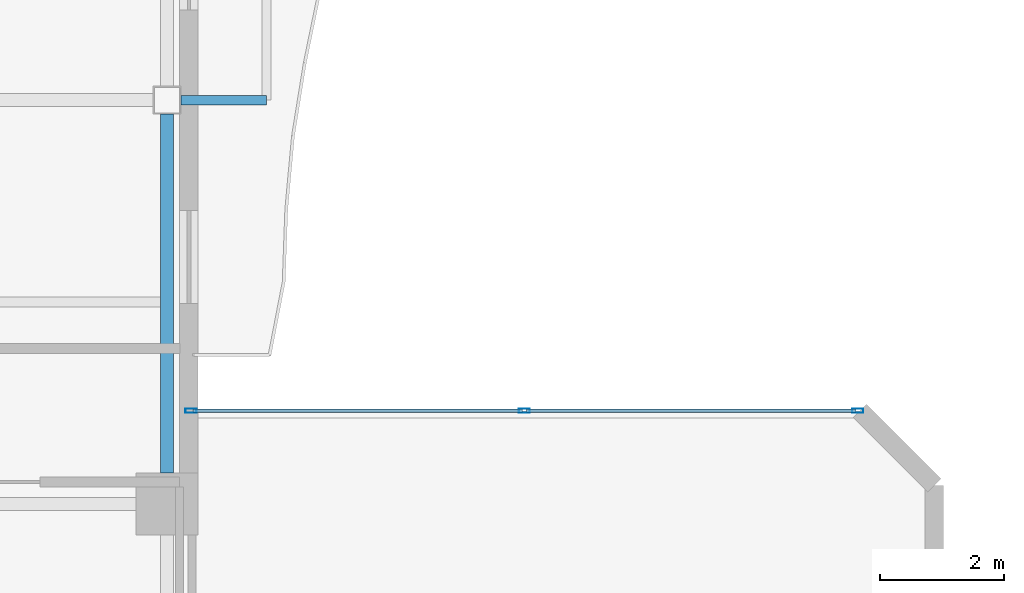
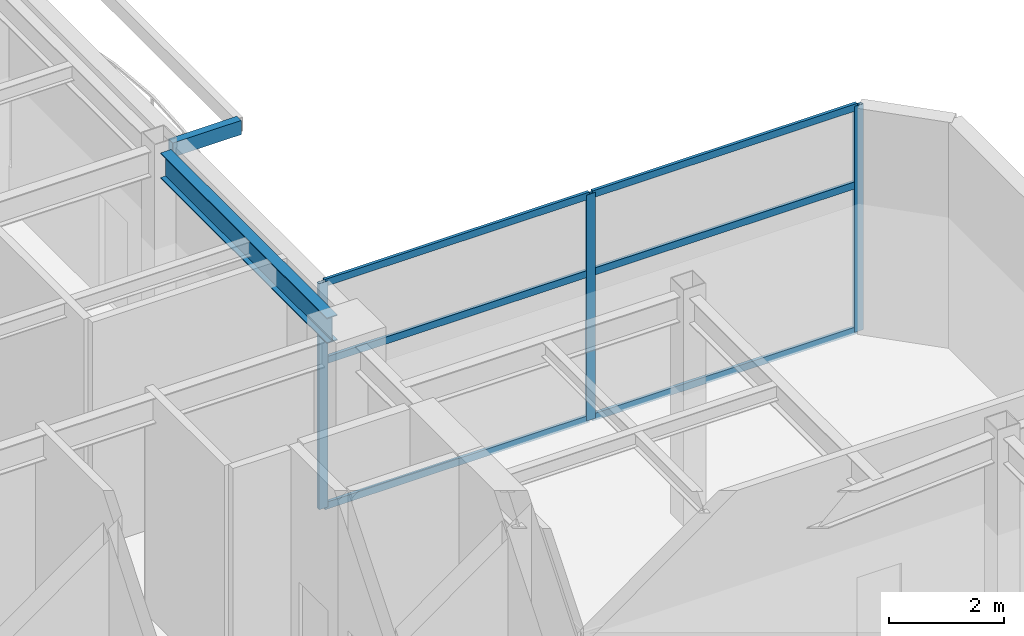
# One storey, part 7 of 16: 9 members, 2 beams, 1 element without a shape of its own.
"""IFC4 building model written with IfcOpenShell, lengths in metres."""

from ifc_helpers import new_model, si_unit, direction, frame, origin, origin_2d, place, context, subcontext, project, spatial, hollow_rectangle, i_section, extrude, material, layer, layer_set, material_profile, profile_set, type_object, element, aggregate, save


model = new_model("IFC4")

# Units and contexts
model_context = context("Model", 3, precision=1e-05, world=origin(), true_north=direction((0.0, 1.0)))
body_context = subcontext(model_context, "Body", "Model", "MODEL_VIEW")
ifc_project = project(units=[si_unit("LENGTHUNIT", "METRE"), si_unit("AREAUNIT", "SQUARE_METRE"), si_unit("VOLUMEUNIT", "CUBIC_METRE"), si_unit("PLANEANGLEUNIT", "RADIAN"), si_unit("MASSUNIT", "GRAM", prefix="KILO")], contexts=[model_context])

# Site, building, storey
site_placement = place(None, origin())
site = spatial("IfcSite", under=ifc_project, at=site_placement, CompositionType="ELEMENT")
building_placement = place(site_placement, origin())
building = spatial("IfcBuilding", under=site, at=building_placement, Name="Mawjaban Terraces University", CompositionType="ELEMENT")
storey_placement = place(building_placement, frame((0.0, 0.0, 170.800048828125)))
storey = spatial("IfcBuildingStorey", under=building, at=storey_placement, Name="L41", CompositionType="ELEMENT", Elevation=170.800048828125)

# Beams
ifc_material_1 = material(Name="Steel EN 10210-1 S355J2H", Category="steel")
ifc_material_profile_1 = material_profile(ifc_material_1, hollow_rectangle(XDim=0.14990234375, YDim=0.300048828125, WallThickness=0.012451171875, at=origin_2d()), Name="RHS300X150X12.5")
ifc_profile_set_1 = profile_set([ifc_material_profile_1], Name="Steel EN 10210-1 S355J2H")
beam_type_1 = type_object("IfcBeamType", Name="BalconyCantileverSpandrel_RHS", PredefinedType="SPANDREL", material=ifc_profile_set_1)
beam_1_placement = place(storey_placement, frame((37.875, 30.0, 4.639892578125), z_axis=(1.0, 0.0, 0.0), x_axis=(0.0, 1.0, 0.0)))
element("IfcBeam", 1, at=beam_1_placement, inside=storey, type_object=beam_type_1, Name="L41 Exterior Outrigger BAL-L42-E.1", PredefinedType="SPANDREL", context=body_context, shape_type="SweptSolid", body=[
    extrude(hollow_rectangle(XDim=0.14990234375, YDim=0.300048828125, WallThickness=0.012451171875, at=origin_2d()), origin(), (0.0, 0.0, 1.0), 1.375),
])
ifc_material_2 = material(Name="Steel ASTM A572 Grade 50", Category="steel")
ifc_material_profile_2 = material_profile(ifc_material_2, i_section(OverallWidth=0.2119140625, OverallDepth=0.5439453125, WebThickness=0.01318359375, FlangeThickness=0.021240234375, at=origin_2d()), Name="W530X123")
ifc_profile_set_2 = profile_set([ifc_material_profile_2], Name="Steel ASTM A572 Grade 50")
beam_type_2 = type_object("IfcBeamType", Name="Beam_B_W530X123", PredefinedType="BEAM", material=ifc_profile_set_2)
beam_2_placement = place(storey_placement, frame((37.64990234375, 24.0, 4.51806640625), z_axis=(0.0, 1.0, 0.0), x_axis=(-1.0, 0.0, 0.0)))
element("IfcBeam", 2, at=beam_2_placement, inside=storey, type_object=beam_type_2, Name="L41 Beam BM-L41-NS-08", PredefinedType="BEAM", context=body_context, shape_type="SweptSolid", body=[
    extrude(i_section(OverallWidth=0.2119140625, OverallDepth=0.5439453125, WebThickness=0.01318359375, FlangeThickness=0.021240234375, at=origin_2d()), origin(), (0.0, 0.0, 1.0), 5.77490234375),
])

# Curtain wall, members
ifc_material_3 = material(Name="Anodised aluminium 6063-T6 and solar-control low-E glass", Category="aluminium")
ifc_layer = layer(ifc_material_3, 0.18994140625)
ifc_layer_set = layer_set([ifc_layer], Name="Anodised aluminium 6063-T6 and solar-control low-E glass")
curtain_wall_type = type_object("IfcCurtainWallType", Name="CWSystem_05_SkyLobby", PredefinedType="NOTDEFINED", material=ifc_layer_set)
curtain_wall_placement = place(storey_placement, origin())
curtain_wall = element("IfcCurtainWall", 3, at=curtain_wall_placement, inside=storey, type_object=curtain_wall_type, Name="L41 Curtain Wall CW-05 Run 8.1", PredefinedType="NOTDEFINED")
ifc_material_4 = material(Name="Anodised aluminium 6063-T6", Category="aluminium")
ifc_material_profile_3 = material_profile(ifc_material_4, hollow_rectangle(XDim=0.06494140625, YDim=0.179931640625, WallThickness=0.00390625, at=origin_2d()), Name="ALU180X65X4")
ifc_profile_set_3 = profile_set([ifc_material_profile_3], Name="Anodised aluminium 6063-T6")
member_type_1 = type_object("IfcMemberType", Name="Mullion_CW-05", PredefinedType="MULLION", material=ifc_profile_set_3)
member_1_placement = place(storey_placement, frame((48.767578125, 25.0, 0.0), z_axis=(0.0, 0.0, 1.0), x_axis=(0.0, -1.0, 0.0)))
member_1 = element("IfcMember", 4, at=member_1_placement, type_object=member_type_1, Name="CW-05 mullion 1", PredefinedType="MULLION", context=body_context, shape_type="SweptSolid", body=[
    extrude(hollow_rectangle(XDim=0.06494140625, YDim=0.179931640625, WallThickness=0.00390625, at=origin_2d()), origin(), (0.0, 0.0, 1.0), 4.7900390625),
])
member_2_placement = place(storey_placement, frame((43.39990234375, 25.0, 0.0), z_axis=(0.0, 0.0, 1.0), x_axis=(0.0, -1.0, 0.0)))
member_2 = element("IfcMember", 5, at=member_2_placement, type_object=member_type_1, Name="CW-05 mullion 2", PredefinedType="MULLION", context=body_context, shape_type="SweptSolid", body=[
    extrude(hollow_rectangle(XDim=0.06494140625, YDim=0.179931640625, WallThickness=0.00390625, at=origin_2d()), origin(), (0.0, 0.0, 1.0), 4.7900390625),
])
member_3_placement = place(storey_placement, frame((38.032470703125, 25.0, 0.0), z_axis=(0.0, 0.0, 1.0), x_axis=(0.0, -1.0, 0.0)))
member_3 = element("IfcMember", 6, at=member_3_placement, type_object=member_type_1, Name="CW-05 mullion 3", PredefinedType="MULLION", context=body_context, shape_type="SweptSolid", body=[
    extrude(hollow_rectangle(XDim=0.06494140625, YDim=0.179931640625, WallThickness=0.00390625, at=origin_2d()), origin(), (0.0, 0.0, 1.0), 4.7900390625),
])
ifc_material_profile_4 = material_profile(ifc_material_4, hollow_rectangle(XDim=0.06005859375, YDim=0.14990234375, WallThickness=0.00390625, at=origin_2d()), Name="ALU150X60X4")
ifc_profile_set_4 = profile_set([ifc_material_profile_4], Name="Anodised aluminium 6063-T6")
member_type_2 = type_object("IfcMemberType", Name="Transom_CW-05", PredefinedType="NOTDEFINED", material=ifc_profile_set_4)
member_4_placement = place(storey_placement, frame((48.735107421875, 25.0, 0.030029296875), z_axis=(-1.0, 0.0, 0.0), x_axis=(0.0, -1.0, 0.0)))
member_4 = element("IfcMember", 7, at=member_4_placement, type_object=member_type_2, Name="CW-05 transom 1.1", ObjectType="TRANSOM", PredefinedType="USERDEFINED", context=body_context, shape_type="SweptSolid", body=[
    extrude(hollow_rectangle(XDim=0.06005859375, YDim=0.14990234375, WallThickness=0.00390625, at=origin_2d()), origin(), (0.0, 0.0, 1.0), 5.302490234375),
])
member_5_placement = place(storey_placement, frame((48.735107421875, 25.0, 3.113037109375), z_axis=(-1.0, 0.0, 0.0), x_axis=(0.0, -1.0, 0.0)))
member_5 = element("IfcMember", 8, at=member_5_placement, type_object=member_type_2, Name="CW-05 transom 1.2", ObjectType="TRANSOM", PredefinedType="USERDEFINED", context=body_context, shape_type="SweptSolid", body=[
    extrude(hollow_rectangle(XDim=0.06005859375, YDim=0.14990234375, WallThickness=0.00390625, at=origin_2d()), origin(), (0.0, 0.0, 1.0), 5.302490234375),
])
member_6_placement = place(storey_placement, frame((48.735107421875, 25.0, 4.760009765625), z_axis=(-1.0, 0.0, 0.0), x_axis=(0.0, -1.0, 0.0)))
member_6 = element("IfcMember", 9, at=member_6_placement, type_object=member_type_2, Name="CW-05 transom 1.3", ObjectType="TRANSOM", PredefinedType="USERDEFINED", context=body_context, shape_type="SweptSolid", body=[
    extrude(hollow_rectangle(XDim=0.06005859375, YDim=0.14990234375, WallThickness=0.00390625, at=origin_2d()), origin(), (0.0, 0.0, 1.0), 5.302490234375),
])
member_7_placement = place(storey_placement, frame((43.367431640625, 25.0, 0.030029296875), z_axis=(-1.0, 0.0, 0.0), x_axis=(0.0, -1.0, 0.0)))
member_7 = element("IfcMember", 10, at=member_7_placement, type_object=member_type_2, Name="CW-05 transom 2.1", ObjectType="TRANSOM", PredefinedType="USERDEFINED", context=body_context, shape_type="SweptSolid", body=[
    extrude(hollow_rectangle(XDim=0.06005859375, YDim=0.14990234375, WallThickness=0.00390625, at=origin_2d()), origin(), (0.0, 0.0, 1.0), 5.302490234375),
])
member_8_placement = place(storey_placement, frame((43.367431640625, 25.0, 3.113037109375), z_axis=(-1.0, 0.0, 0.0), x_axis=(0.0, -1.0, 0.0)))
member_8 = element("IfcMember", 11, at=member_8_placement, type_object=member_type_2, Name="CW-05 transom 2.2", ObjectType="TRANSOM", PredefinedType="USERDEFINED", context=body_context, shape_type="SweptSolid", body=[
    extrude(hollow_rectangle(XDim=0.06005859375, YDim=0.14990234375, WallThickness=0.00390625, at=origin_2d()), origin(), (0.0, 0.0, 1.0), 5.302490234375),
])
member_9_placement = place(storey_placement, frame((43.367431640625, 25.0, 4.760009765625), z_axis=(-1.0, 0.0, 0.0), x_axis=(0.0, -1.0, 0.0)))
member_9 = element("IfcMember", 12, at=member_9_placement, type_object=member_type_2, Name="CW-05 transom 2.3", ObjectType="TRANSOM", PredefinedType="USERDEFINED", context=body_context, shape_type="SweptSolid", body=[
    extrude(hollow_rectangle(XDim=0.06005859375, YDim=0.14990234375, WallThickness=0.00390625, at=origin_2d()), origin(), (0.0, 0.0, 1.0), 5.302490234375),
])
aggregate(curtain_wall, [member_1, member_2, member_3, member_4, member_5, member_6, member_7, member_8, member_9])

save(model, "model.ifc")
